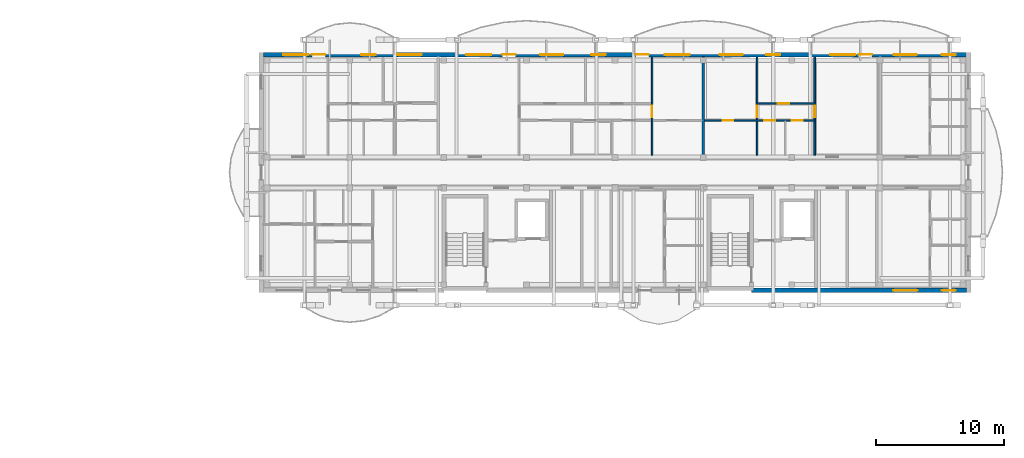
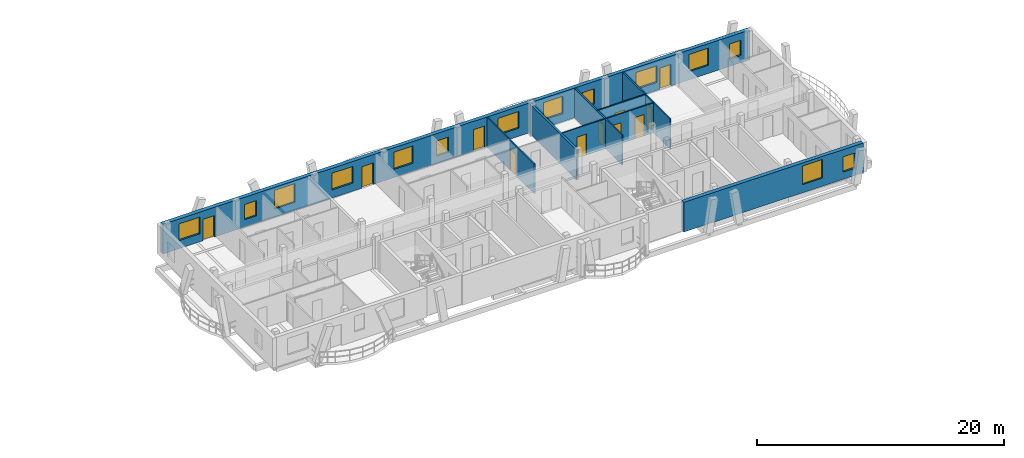
# One storey, part 36 of 52: 14 windows, 11 doors, 8 walls, 25 openings.
"""IFC4 building model written with IfcOpenShell, lengths in metres."""

from ifc_helpers import new_model, si_unit, direction, frame, frame_2d, origin, origin_with_axes, place, context, subcontext, project, spatial, rectangle, extrude, material, layer, layer_set, type_object, element, fill, save


model = new_model("IFC4")

# Units and contexts
model_context = context("Model", 3, precision=1e-05, world=origin(), true_north=direction((0.0, 1.0)))
body_context = subcontext(model_context, "Body", "Model", "MODEL_VIEW")
ifc_project = project(units=[si_unit("LENGTHUNIT", "METRE"), si_unit("AREAUNIT", "SQUARE_METRE"), si_unit("VOLUMEUNIT", "CUBIC_METRE"), si_unit("PLANEANGLEUNIT", "RADIAN"), si_unit("MASSUNIT", "GRAM", prefix="KILO")], contexts=[model_context])

# Site, building, storey
site_placement = place(None, origin())
site = spatial("IfcSite", under=ifc_project, at=site_placement, CompositionType="ELEMENT")
building_placement = place(site_placement, origin())
building = spatial("IfcBuilding", under=site, at=building_placement, Name="Zavelmont Quarter", CompositionType="ELEMENT")
storey_placement = place(building_placement, frame((0.0, 0.0, 14.39990234375)))
storey = spatial("IfcBuildingStorey", under=building, at=storey_placement, Name="L04", CompositionType="ELEMENT", Elevation=14.39990234375)

# Wall, openings, windows
ifc_material_1 = material(Name="Natural Belgian limestone", Category="masonry")
ifc_layer_1 = layer(ifc_material_1, 0.360107421875)
ifc_layer_set_1 = layer_set([ifc_layer_1], Name="Natural Belgian limestone")
wall_type_1 = type_object("IfcWallType", Name="EW02", PredefinedType="STANDARD", material=ifc_layer_set_1)
wall_1_placement = place(storey_placement, frame((151.050048828125, 97.60009765625, 0.0), z_axis=(0.0, 0.0, 1.0), x_axis=(1.0, 0.0, 0.0)))
wall_1 = element("IfcWall", 1, at=wall_1_placement, inside=storey, type_object=wall_type_1, Name="L04 exterior limestone wall EW02", PredefinedType="STANDARD", context=body_context, shape_type="SweptSolid", body=[
    extrude(rectangle(XDim=16.780029296875, YDim=0.360107421875, at=frame_2d((8.39013671875, 0.0))), origin(), (0.0, 0.0, 1.0), 2.940185546875),
])
opening_1_placement = place(wall_1_placement, frame((11.070068359375, 0.0, 0.800048828125)))
opening_1 = element("IfcOpeningElement", 2, at=opening_1_placement, cuts=wall_1, Name="Opening WN20", PredefinedType="OPENING", context=body_context, shape_type="SweptSolid", body=[
    extrude(rectangle(XDim=1.89990234375, YDim=1.85009765625, at=frame_2d((0.949951171875, 0.925048828125))), frame((0.0, 0.19189453125, 0.0), z_axis=(0.0, -1.0, 0.0), x_axis=(1.0, 0.0, 0.0)), (0.0, 0.0, 1.0), 0.384033203125),
])
opening_2_placement = place(wall_1_placement, frame((14.8701171875, 0.0, 0.719970703125)))
opening_2 = element("IfcOpeningElement", 3, at=opening_2_placement, cuts=wall_1, Name="Opening WN09", PredefinedType="OPENING", context=body_context, shape_type="SweptSolid", body=[
    extrude(rectangle(XDim=1.10009765625, YDim=1.5, at=frame_2d((0.550048828125, 0.75))), frame((0.0, 0.19189453125, 0.0), z_axis=(0.0, -1.0, 0.0), x_axis=(1.0, 0.0, 0.0)), (0.0, 0.0, 1.0), 0.384033203125),
])
ifc_material_2 = material(Name="Double low-E insulated glazing in thermally broken aluminium frame", Category="aluminium")
window_type_1 = type_object("IfcWindowType", Name="WN09", PartitioningType="SINGLE_PANEL", PredefinedType="WINDOW", material=ifc_material_2)
window_1_placement = place(opening_2_placement, origin_with_axes())
window_1 = element("IfcWindow", 4, at=window_1_placement, inside=storey, type_object=window_type_1, Name="L04 window WN09", OverallHeight=1.5, OverallWidth=1.10009765625, PartitioningType="SINGLE_PANEL", PredefinedType="WINDOW", context=body_context, shape_type="SweptSolid", body=[
    extrude(rectangle(XDim=1.10009765625, YDim=1.5, at=frame_2d((0.550048828125, 0.75))), frame((0.0, 0.030029296875, 0.0), z_axis=(0.0, -1.0, 0.0), x_axis=(1.0, 0.0, 0.0)), (0.0, 0.0, 1.0), 0.06005859375),
])
fill(opening_2, window_1)
window_type_2 = type_object("IfcWindowType", Name="WN20", PartitioningType="SINGLE_PANEL", PredefinedType="WINDOW", material=ifc_material_2)
window_2_placement = place(opening_1_placement, origin_with_axes())
window_2 = element("IfcWindow", 5, at=window_2_placement, inside=storey, type_object=window_type_2, Name="L04 window WN20", OverallHeight=1.85009765625, OverallWidth=1.89990234375, PartitioningType="SINGLE_PANEL", PredefinedType="WINDOW", context=body_context, shape_type="SweptSolid", body=[
    extrude(rectangle(XDim=1.89990234375, YDim=1.85009765625, at=frame_2d((0.949951171875, 0.925048828125))), frame((0.0, 0.030029296875, 0.0), z_axis=(0.0, -1.0, 0.0), x_axis=(1.0, 0.0, 0.0)), (0.0, 0.0, 1.0), 0.06005859375),
])
fill(opening_1, window_2)

# Wall, openings, doors, windows
wall_2_placement = place(storey_placement, frame((112.969970703125, 116.0, 0.0), z_axis=(0.0, 0.0, 1.0), x_axis=(1.0, 0.0, 0.0)))
wall_2 = element("IfcWall", 6, at=wall_2_placement, inside=storey, type_object=wall_type_1, Name="L04 exterior limestone wall EW02", PredefinedType="STANDARD", context=body_context, shape_type="SweptSolid", body=[
    extrude(rectangle(XDim=54.860107421875, YDim=0.360107421875, at=frame_2d((27.43017578125, 0.0))), origin(), (0.0, 0.0, 1.0), 2.940185546875),
])
opening_3_placement = place(wall_2_placement, frame((3.779296875, 0.0, 0.0)))
opening_3 = element("IfcOpeningElement", 7, at=opening_3_placement, cuts=wall_2, Name="Opening DR04A", PredefinedType="OPENING", context=body_context, shape_type="SweptSolid", body=[
    extrude(rectangle(XDim=1.050048828125, YDim=2.1201171875, at=frame_2d((0.52490234375, 1.06005859375))), frame((0.0, 0.19189453125, 0.0), z_axis=(0.0, -1.0, 0.0), x_axis=(1.0, 0.0, 0.0)), (0.0, 0.0, 1.0), 0.384033203125),
])
opening_4_placement = place(wall_2_placement, frame((18.638916015625, 0.0, 0.0)))
opening_4 = element("IfcOpeningElement", 8, at=opening_4_placement, cuts=wall_2, Name="Opening DR04A", PredefinedType="OPENING", context=body_context, shape_type="SweptSolid", body=[
    extrude(rectangle(XDim=1.050048828125, YDim=2.1201171875, at=frame_2d((0.52490234375, 1.06005859375))), frame((0.0, 0.19189453125, 0.0), z_axis=(0.0, -1.0, 0.0), x_axis=(1.0, 0.0, 0.0)), (0.0, 0.0, 1.0), 0.384033203125),
])
opening_5_placement = place(wall_2_placement, frame((29.0390625, 0.0, 0.0)))
opening_5 = element("IfcOpeningElement", 9, at=opening_5_placement, cuts=wall_2, Name="Opening DR04A", PredefinedType="OPENING", context=body_context, shape_type="SweptSolid", body=[
    extrude(rectangle(XDim=1.050048828125, YDim=2.1201171875, at=frame_2d((0.52490234375, 1.06005859375))), frame((0.0, 0.19189453125, 0.0), z_axis=(0.0, -1.0, 0.0), x_axis=(1.0, 0.0, 0.0)), (0.0, 0.0, 1.0), 0.384033203125),
])
opening_6_placement = place(wall_2_placement, frame((46.449951171875, 0.0, 0.0)))
opening_6 = element("IfcOpeningElement", 10, at=opening_6_placement, cuts=wall_2, Name="Opening DR04A", PredefinedType="OPENING", context=body_context, shape_type="SweptSolid", body=[
    extrude(rectangle(XDim=1.050048828125, YDim=2.1201171875, at=frame_2d((0.52490234375, 1.06005859375))), frame((0.0, 0.19189453125, 0.0), z_axis=(0.0, -1.0, 0.0), x_axis=(1.0, 0.0, 0.0)), (0.0, 0.0, 1.0), 0.384033203125),
])
opening_7_placement = place(wall_2_placement, frame((1.52490234375, 0.0, 0.800048828125)))
opening_7 = element("IfcOpeningElement", 11, at=opening_7_placement, cuts=wall_2, Name="Opening WN24", PredefinedType="OPENING", context=body_context, shape_type="SweptSolid", body=[
    extrude(rectangle(XDim=1.949951171875, YDim=1.64990234375, at=frame_2d((0.97509765625, 0.824951171875))), frame((0.0, 0.19189453125, 0.0), z_axis=(0.0, -1.0, 0.0), x_axis=(1.0, 0.0, 0.0)), (0.0, 0.0, 1.0), 0.384033203125),
])
opening_8_placement = place(wall_2_placement, frame((7.64990234375, 0.0, 0.719970703125)))
opening_8 = element("IfcOpeningElement", 12, at=opening_8_placement, cuts=wall_2, Name="Opening WN09", PredefinedType="OPENING", context=body_context, shape_type="SweptSolid", body=[
    extrude(rectangle(XDim=1.10009765625, YDim=1.5, at=frame_2d((0.550048828125, 0.75))), frame((0.0, 0.19189453125, 0.0), z_axis=(0.0, -1.0, 0.0), x_axis=(1.0, 0.0, 0.0)), (0.0, 0.0, 1.0), 0.384033203125),
])
opening_9_placement = place(wall_2_placement, frame((10.449951171875, 0.0, 0.800048828125)))
opening_9 = element("IfcOpeningElement", 13, at=opening_9_placement, cuts=wall_2, Name="Opening WN20", PredefinedType="OPENING", context=body_context, shape_type="SweptSolid", body=[
    extrude(rectangle(XDim=1.89990234375, YDim=1.85009765625, at=frame_2d((0.949951171875, 0.925048828125))), frame((0.0, 0.19189453125, 0.0), z_axis=(0.0, -1.0, 0.0), x_axis=(1.0, 0.0, 0.0)), (0.0, 0.0, 1.0), 0.384033203125),
])
opening_10_placement = place(wall_2_placement, frame((15.824951171875, 0.0, 0.800048828125)))
opening_10 = element("IfcOpeningElement", 14, at=opening_10_placement, cuts=wall_2, Name="Opening WN24", PredefinedType="OPENING", context=body_context, shape_type="SweptSolid", body=[
    extrude(rectangle(XDim=1.949951171875, YDim=1.64990234375, at=frame_2d((0.97509765625, 0.824951171875))), frame((0.0, 0.19189453125, 0.0), z_axis=(0.0, -1.0, 0.0), x_axis=(1.0, 0.0, 0.0)), (0.0, 0.0, 1.0), 0.384033203125),
])
opening_11_placement = place(wall_2_placement, frame((21.60009765625, 0.0, 0.800048828125)))
opening_11 = element("IfcOpeningElement", 15, at=opening_11_placement, cuts=wall_2, Name="Opening WN02", PredefinedType="OPENING", context=body_context, shape_type="SweptSolid", body=[
    extrude(rectangle(XDim=1.800048828125, YDim=1.699951171875, at=frame_2d((0.89990234375, 0.85009765625))), frame((0.0, 0.19189453125, 0.0), z_axis=(0.0, -1.0, 0.0), x_axis=(1.0, 0.0, 0.0)), (0.0, 0.0, 1.0), 0.384033203125),
])
opening_12_placement = place(wall_2_placement, frame((25.60009765625, 0.0, 0.719970703125)))
opening_12 = element("IfcOpeningElement", 16, at=opening_12_placement, cuts=wall_2, Name="Opening WN09", PredefinedType="OPENING", context=body_context, shape_type="SweptSolid", body=[
    extrude(rectangle(XDim=1.10009765625, YDim=1.5, at=frame_2d((0.550048828125, 0.75))), frame((0.0, 0.19189453125, 0.0), z_axis=(0.0, -1.0, 0.0), x_axis=(1.0, 0.0, 0.0)), (0.0, 0.0, 1.0), 0.384033203125),
])
opening_13_placement = place(wall_2_placement, frame((31.324951171875, 0.0, 0.800048828125)))
opening_13 = element("IfcOpeningElement", 17, at=opening_13_placement, cuts=wall_2, Name="Opening WN24", PredefinedType="OPENING", context=body_context, shape_type="SweptSolid", body=[
    extrude(rectangle(XDim=1.949951171875, YDim=1.64990234375, at=frame_2d((0.97509765625, 0.824951171875))), frame((0.0, 0.19189453125, 0.0), z_axis=(0.0, -1.0, 0.0), x_axis=(1.0, 0.0, 0.0)), (0.0, 0.0, 1.0), 0.384033203125),
])
opening_14_placement = place(wall_2_placement, frame((35.60009765625, 0.0, 0.800048828125)))
opening_14 = element("IfcOpeningElement", 18, at=opening_14_placement, cuts=wall_2, Name="Opening WN02", PredefinedType="OPENING", context=body_context, shape_type="SweptSolid", body=[
    extrude(rectangle(XDim=1.800048828125, YDim=1.699951171875, at=frame_2d((0.89990234375, 0.85009765625))), frame((0.0, 0.19189453125, 0.0), z_axis=(0.0, -1.0, 0.0), x_axis=(1.0, 0.0, 0.0)), (0.0, 0.0, 1.0), 0.384033203125),
])
opening_15_placement = place(wall_2_placement, frame((39.25, 0.0, 0.719970703125)))
opening_15 = element("IfcOpeningElement", 19, at=opening_15_placement, cuts=wall_2, Name="Opening WN09", PredefinedType="OPENING", context=body_context, shape_type="SweptSolid", body=[
    extrude(rectangle(XDim=1.10009765625, YDim=1.5, at=frame_2d((0.550048828125, 0.75))), frame((0.0, 0.19189453125, 0.0), z_axis=(0.0, -1.0, 0.0), x_axis=(1.0, 0.0, 0.0)), (0.0, 0.0, 1.0), 0.384033203125),
])
opening_16_placement = place(wall_2_placement, frame((44.22509765625, 0.0, 0.800048828125)))
opening_16 = element("IfcOpeningElement", 20, at=opening_16_placement, cuts=wall_2, Name="Opening WN24", PredefinedType="OPENING", context=body_context, shape_type="SweptSolid", body=[
    extrude(rectangle(XDim=1.949951171875, YDim=1.64990234375, at=frame_2d((0.97509765625, 0.824951171875))), frame((0.0, 0.19189453125, 0.0), z_axis=(0.0, -1.0, 0.0), x_axis=(1.0, 0.0, 0.0)), (0.0, 0.0, 1.0), 0.384033203125),
])
opening_17_placement = place(wall_2_placement, frame((49.199951171875, 0.0, 0.800048828125)))
opening_17 = element("IfcOpeningElement", 21, at=opening_17_placement, cuts=wall_2, Name="Opening WN02", PredefinedType="OPENING", context=body_context, shape_type="SweptSolid", body=[
    extrude(rectangle(XDim=1.800048828125, YDim=1.699951171875, at=frame_2d((0.89990234375, 0.85009765625))), frame((0.0, 0.19189453125, 0.0), z_axis=(0.0, -1.0, 0.0), x_axis=(1.0, 0.0, 0.0)), (0.0, 0.0, 1.0), 0.384033203125),
])
opening_18_placement = place(wall_2_placement, frame((52.949951171875, 0.0, 0.719970703125)))
opening_18 = element("IfcOpeningElement", 22, at=opening_18_placement, cuts=wall_2, Name="Opening WN09", PredefinedType="OPENING", context=body_context, shape_type="SweptSolid", body=[
    extrude(rectangle(XDim=1.10009765625, YDim=1.5, at=frame_2d((0.550048828125, 0.75))), frame((0.0, 0.19189453125, 0.0), z_axis=(0.0, -1.0, 0.0), x_axis=(1.0, 0.0, 0.0)), (0.0, 0.0, 1.0), 0.384033203125),
])
ifc_material_3 = material(Name="Thermally broken aluminium and double safety glass", Category="aluminium")
door_type_1 = type_object("IfcDoorType", Name="DR04A", OperationType="NOTDEFINED", PredefinedType="DOOR", material=ifc_material_3)
door_1_placement = place(opening_3_placement, frame((1.050048828125, 0.0, 0.0), z_axis=(0.0, 0.0, 1.0), x_axis=(-1.0, 0.0, 0.0)))
door_1 = element("IfcDoor", 23, at=door_1_placement, inside=storey, type_object=door_type_1, Name="Block C L04 glazed balcony door", OperationType="SINGLE_SWING_LEFT", OverallHeight=2.1201171875, OverallWidth=1.050048828125, PredefinedType="DOOR", context=body_context, shape_type="SweptSolid", body=[
    extrude(rectangle(XDim=1.050048828125, YDim=2.1201171875, at=frame_2d((0.52490234375, 1.06005859375))), frame((0.0, 0.02490234375, 0.0), z_axis=(0.0, -1.0, 0.0), x_axis=(1.0, 0.0, 0.0)), (0.0, 0.0, 1.0), 0.050048828125),
])
fill(opening_3, door_1)
door_2_placement = place(opening_4_placement, frame((1.050048828125, 0.0, 0.0), z_axis=(0.0, 0.0, 1.0), x_axis=(-1.0, 0.0, 0.0)))
door_2 = element("IfcDoor", 24, at=door_2_placement, inside=storey, type_object=door_type_1, Name="Block C L04 glazed balcony door", OperationType="SINGLE_SWING_LEFT", OverallHeight=2.1201171875, OverallWidth=1.050048828125, PredefinedType="DOOR", context=body_context, shape_type="SweptSolid", body=[
    extrude(rectangle(XDim=1.050048828125, YDim=2.1201171875, at=frame_2d((0.52490234375, 1.06005859375))), frame((0.0, 0.02490234375, 0.0), z_axis=(0.0, -1.0, 0.0), x_axis=(1.0, 0.0, 0.0)), (0.0, 0.0, 1.0), 0.050048828125),
])
fill(opening_4, door_2)
door_3_placement = place(opening_5_placement, frame((1.050048828125, 0.0, 0.0), z_axis=(0.0, 0.0, 1.0), x_axis=(-1.0, 0.0, 0.0)))
door_3 = element("IfcDoor", 25, at=door_3_placement, inside=storey, type_object=door_type_1, Name="Block C L04 glazed balcony door", OperationType="SINGLE_SWING_LEFT", OverallHeight=2.1201171875, OverallWidth=1.050048828125, PredefinedType="DOOR", context=body_context, shape_type="SweptSolid", body=[
    extrude(rectangle(XDim=1.050048828125, YDim=2.1201171875, at=frame_2d((0.52490234375, 1.06005859375))), frame((0.0, 0.02490234375, 0.0), z_axis=(0.0, -1.0, 0.0), x_axis=(1.0, 0.0, 0.0)), (0.0, 0.0, 1.0), 0.050048828125),
])
fill(opening_5, door_3)
door_4_placement = place(opening_6_placement, frame((1.050048828125, 0.0, 0.0), z_axis=(0.0, 0.0, 1.0), x_axis=(-1.0, 0.0, 0.0)))
door_4 = element("IfcDoor", 26, at=door_4_placement, inside=storey, type_object=door_type_1, Name="Block C L04 glazed balcony door", OperationType="SINGLE_SWING_LEFT", OverallHeight=2.1201171875, OverallWidth=1.050048828125, PredefinedType="DOOR", context=body_context, shape_type="SweptSolid", body=[
    extrude(rectangle(XDim=1.050048828125, YDim=2.1201171875, at=frame_2d((0.52490234375, 1.06005859375))), frame((0.0, 0.02490234375, 0.0), z_axis=(0.0, -1.0, 0.0), x_axis=(1.0, 0.0, 0.0)), (0.0, 0.0, 1.0), 0.050048828125),
])
fill(opening_6, door_4)
window_type_3 = type_object("IfcWindowType", Name="WN02", PartitioningType="SINGLE_PANEL", PredefinedType="WINDOW", material=ifc_material_2)
window_3_placement = place(opening_11_placement, origin_with_axes())
window_3 = element("IfcWindow", 27, at=window_3_placement, inside=storey, type_object=window_type_3, Name="L04 window WN02", OverallHeight=1.699951171875, OverallWidth=1.800048828125, PartitioningType="SINGLE_PANEL", PredefinedType="WINDOW", context=body_context, shape_type="SweptSolid", body=[
    extrude(rectangle(XDim=1.800048828125, YDim=1.699951171875, at=frame_2d((0.89990234375, 0.85009765625))), frame((0.0, 0.030029296875, 0.0), z_axis=(0.0, -1.0, 0.0), x_axis=(1.0, 0.0, 0.0)), (0.0, 0.0, 1.0), 0.06005859375),
])
fill(opening_11, window_3)
window_4_placement = place(opening_14_placement, origin_with_axes())
window_4 = element("IfcWindow", 28, at=window_4_placement, inside=storey, type_object=window_type_3, Name="L04 window WN02", OverallHeight=1.699951171875, OverallWidth=1.800048828125, PartitioningType="SINGLE_PANEL", PredefinedType="WINDOW", context=body_context, shape_type="SweptSolid", body=[
    extrude(rectangle(XDim=1.800048828125, YDim=1.699951171875, at=frame_2d((0.89990234375, 0.85009765625))), frame((0.0, 0.030029296875, 0.0), z_axis=(0.0, -1.0, 0.0), x_axis=(1.0, 0.0, 0.0)), (0.0, 0.0, 1.0), 0.06005859375),
])
fill(opening_14, window_4)
window_5_placement = place(opening_17_placement, origin_with_axes())
window_5 = element("IfcWindow", 29, at=window_5_placement, inside=storey, type_object=window_type_3, Name="L04 window WN02", OverallHeight=1.699951171875, OverallWidth=1.800048828125, PartitioningType="SINGLE_PANEL", PredefinedType="WINDOW", context=body_context, shape_type="SweptSolid", body=[
    extrude(rectangle(XDim=1.800048828125, YDim=1.699951171875, at=frame_2d((0.89990234375, 0.85009765625))), frame((0.0, 0.030029296875, 0.0), z_axis=(0.0, -1.0, 0.0), x_axis=(1.0, 0.0, 0.0)), (0.0, 0.0, 1.0), 0.06005859375),
])
fill(opening_17, window_5)
window_6_placement = place(opening_8_placement, origin_with_axes())
window_6 = element("IfcWindow", 30, at=window_6_placement, inside=storey, type_object=window_type_1, Name="L04 window WN09", OverallHeight=1.5, OverallWidth=1.10009765625, PartitioningType="SINGLE_PANEL", PredefinedType="WINDOW", context=body_context, shape_type="SweptSolid", body=[
    extrude(rectangle(XDim=1.10009765625, YDim=1.5, at=frame_2d((0.550048828125, 0.75))), frame((0.0, 0.030029296875, 0.0), z_axis=(0.0, -1.0, 0.0), x_axis=(1.0, 0.0, 0.0)), (0.0, 0.0, 1.0), 0.06005859375),
])
fill(opening_8, window_6)
window_7_placement = place(opening_12_placement, origin_with_axes())
window_7 = element("IfcWindow", 31, at=window_7_placement, inside=storey, type_object=window_type_1, Name="L04 window WN09", OverallHeight=1.5, OverallWidth=1.10009765625, PartitioningType="SINGLE_PANEL", PredefinedType="WINDOW", context=body_context, shape_type="SweptSolid", body=[
    extrude(rectangle(XDim=1.10009765625, YDim=1.5, at=frame_2d((0.550048828125, 0.75))), frame((0.0, 0.030029296875, 0.0), z_axis=(0.0, -1.0, 0.0), x_axis=(1.0, 0.0, 0.0)), (0.0, 0.0, 1.0), 0.06005859375),
])
fill(opening_12, window_7)
window_8_placement = place(opening_15_placement, origin_with_axes())
window_8 = element("IfcWindow", 32, at=window_8_placement, inside=storey, type_object=window_type_1, Name="L04 window WN09", OverallHeight=1.5, OverallWidth=1.10009765625, PartitioningType="SINGLE_PANEL", PredefinedType="WINDOW", context=body_context, shape_type="SweptSolid", body=[
    extrude(rectangle(XDim=1.10009765625, YDim=1.5, at=frame_2d((0.550048828125, 0.75))), frame((0.0, 0.030029296875, 0.0), z_axis=(0.0, -1.0, 0.0), x_axis=(1.0, 0.0, 0.0)), (0.0, 0.0, 1.0), 0.06005859375),
])
fill(opening_15, window_8)
window_9_placement = place(opening_18_placement, origin_with_axes())
window_9 = element("IfcWindow", 33, at=window_9_placement, inside=storey, type_object=window_type_1, Name="L04 window WN09", OverallHeight=1.5, OverallWidth=1.10009765625, PartitioningType="SINGLE_PANEL", PredefinedType="WINDOW", context=body_context, shape_type="SweptSolid", body=[
    extrude(rectangle(XDim=1.10009765625, YDim=1.5, at=frame_2d((0.550048828125, 0.75))), frame((0.0, 0.030029296875, 0.0), z_axis=(0.0, -1.0, 0.0), x_axis=(1.0, 0.0, 0.0)), (0.0, 0.0, 1.0), 0.06005859375),
])
fill(opening_18, window_9)
window_10_placement = place(opening_9_placement, origin_with_axes())
window_10 = element("IfcWindow", 34, at=window_10_placement, inside=storey, type_object=window_type_2, Name="L04 window WN20", OverallHeight=1.85009765625, OverallWidth=1.89990234375, PartitioningType="SINGLE_PANEL", PredefinedType="WINDOW", context=body_context, shape_type="SweptSolid", body=[
    extrude(rectangle(XDim=1.89990234375, YDim=1.85009765625, at=frame_2d((0.949951171875, 0.925048828125))), frame((0.0, 0.030029296875, 0.0), z_axis=(0.0, -1.0, 0.0), x_axis=(1.0, 0.0, 0.0)), (0.0, 0.0, 1.0), 0.06005859375),
])
fill(opening_9, window_10)
window_type_4 = type_object("IfcWindowType", Name="WN24", PartitioningType="SINGLE_PANEL", PredefinedType="WINDOW", material=ifc_material_2)
window_11_placement = place(opening_7_placement, origin_with_axes())
window_11 = element("IfcWindow", 35, at=window_11_placement, inside=storey, type_object=window_type_4, Name="L04 window WN24", OverallHeight=1.64990234375, OverallWidth=1.949951171875, PartitioningType="SINGLE_PANEL", PredefinedType="WINDOW", context=body_context, shape_type="SweptSolid", body=[
    extrude(rectangle(XDim=1.949951171875, YDim=1.64990234375, at=frame_2d((0.97509765625, 0.824951171875))), frame((0.0, 0.030029296875, 0.0), z_axis=(0.0, -1.0, 0.0), x_axis=(1.0, 0.0, 0.0)), (0.0, 0.0, 1.0), 0.06005859375),
])
fill(opening_7, window_11)
window_12_placement = place(opening_10_placement, origin_with_axes())
window_12 = element("IfcWindow", 36, at=window_12_placement, inside=storey, type_object=window_type_4, Name="L04 window WN24", OverallHeight=1.64990234375, OverallWidth=1.949951171875, PartitioningType="SINGLE_PANEL", PredefinedType="WINDOW", context=body_context, shape_type="SweptSolid", body=[
    extrude(rectangle(XDim=1.949951171875, YDim=1.64990234375, at=frame_2d((0.97509765625, 0.824951171875))), frame((0.0, 0.030029296875, 0.0), z_axis=(0.0, -1.0, 0.0), x_axis=(1.0, 0.0, 0.0)), (0.0, 0.0, 1.0), 0.06005859375),
])
fill(opening_10, window_12)
window_13_placement = place(opening_13_placement, origin_with_axes())
window_13 = element("IfcWindow", 37, at=window_13_placement, inside=storey, type_object=window_type_4, Name="L04 window WN24", OverallHeight=1.64990234375, OverallWidth=1.949951171875, PartitioningType="SINGLE_PANEL", PredefinedType="WINDOW", context=body_context, shape_type="SweptSolid", body=[
    extrude(rectangle(XDim=1.949951171875, YDim=1.64990234375, at=frame_2d((0.97509765625, 0.824951171875))), frame((0.0, 0.030029296875, 0.0), z_axis=(0.0, -1.0, 0.0), x_axis=(1.0, 0.0, 0.0)), (0.0, 0.0, 1.0), 0.06005859375),
])
fill(opening_13, window_13)
window_14_placement = place(opening_16_placement, origin_with_axes())
window_14 = element("IfcWindow", 38, at=window_14_placement, inside=storey, type_object=window_type_4, Name="L04 window WN24", OverallHeight=1.64990234375, OverallWidth=1.949951171875, PartitioningType="SINGLE_PANEL", PredefinedType="WINDOW", context=body_context, shape_type="SweptSolid", body=[
    extrude(rectangle(XDim=1.949951171875, YDim=1.64990234375, at=frame_2d((0.97509765625, 0.824951171875))), frame((0.0, 0.030029296875, 0.0), z_axis=(0.0, -1.0, 0.0), x_axis=(1.0, 0.0, 0.0)), (0.0, 0.0, 1.0), 0.06005859375),
])
fill(opening_16, window_14)

# Wall
ifc_material_4 = material(Name="Calcium-silicate blockwork and acoustic plaster", Category="masonry")
ifc_layer_2 = layer(ifc_material_4, 0.199951171875)
ifc_layer_set_2 = layer_set([ifc_layer_2], Name="Calcium-silicate blockwork and acoustic plaster")
wall_type_2 = type_object("IfcWallType", Name="IW01", PredefinedType="PARTITIONING", material=ifc_layer_set_2)
wall_3_placement = place(storey_placement, frame((147.300048828125, 108.14990234375, 0.0), z_axis=(0.0, 0.0, 1.0), x_axis=(0.0, 1.0, 0.0)))
element("IfcWall", 39, at=wall_3_placement, inside=storey, type_object=wall_type_2, Name="L04 Inter-dwelling compartment wall IW01", PredefinedType="PARTITIONING", context=body_context, shape_type="SweptSolid", body=[
    extrude(rectangle(XDim=7.7001953125, YDim=0.199951171875, at=frame_2d((3.85009765625, 0.0))), origin(), (0.0, 0.0, 1.0), 2.940185546875),
])

# Wall, opening, door
ifc_material_5 = material(Name="Double gypsum board on acoustic steel stud", Category="steel")
ifc_layer_3 = layer(ifc_material_5, 0.125)
ifc_layer_set_3 = layer_set([ifc_layer_3], Name="Double gypsum board on acoustic steel stud")
wall_type_3 = type_object("IfcWallType", Name="IW03", PredefinedType="PARTITIONING", material=ifc_layer_set_3)
wall_4_placement = place(storey_placement, frame((143.300048828125, 108.14990234375, 0.0), z_axis=(0.0, 0.0, 1.0), x_axis=(0.0, 1.0, 0.0)))
wall_4 = element("IfcWall", 40, at=wall_4_placement, inside=storey, type_object=wall_type_3, Name="L04 Partition IW03", PredefinedType="PARTITIONING", context=body_context, shape_type="SweptSolid", body=[
    extrude(rectangle(XDim=7.650146484375, YDim=0.125, at=frame_2d((3.8251953125, 0.0))), origin(), (0.0, 0.0, 1.0), 2.940185546875),
])
opening_19_placement = place(wall_4_placement, frame((2.949951171875, 0.0, 0.0)))
opening_19 = element("IfcOpeningElement", 41, at=opening_19_placement, cuts=wall_4, Name="Opening DR05", PredefinedType="OPENING", context=body_context, shape_type="SweptSolid", body=[
    extrude(rectangle(XDim=0.89990234375, YDim=2.10009765625, at=frame_2d((0.449951171875, 1.050048828125))), frame((0.0, 0.074462890625, 0.0), z_axis=(0.0, -1.0, 0.0), x_axis=(1.0, 0.0, 0.0)), (0.0, 0.0, 1.0), 0.14892578125),
])
ifc_material_6 = material(Name="Engineered oak flush interior door")
door_type_2 = type_object("IfcDoorType", Name="DR05", OperationType="NOTDEFINED", PredefinedType="DOOR", material=ifc_material_6)
door_5_placement = place(opening_19_placement, origin_with_axes())
door_5 = element("IfcDoor", 42, at=door_5_placement, inside=storey, type_object=door_type_2, Name="L04 door DR05", OperationType="SINGLE_SWING_RIGHT", OverallHeight=2.10009765625, OverallWidth=0.89990234375, PredefinedType="DOOR", context=body_context, shape_type="SweptSolid", body=[
    extrude(rectangle(XDim=0.89990234375, YDim=2.10009765625, at=frame_2d((0.449951171875, 1.050048828125))), frame((0.0, 0.02490234375, 0.0), z_axis=(0.0, -1.0, 0.0), x_axis=(1.0, 0.0, 0.0)), (0.0, 0.0, 1.0), 0.050048828125),
])
fill(opening_19, door_5)

wall_5_placement = place(storey_placement, frame((156.0, 108.14990234375, 0.0), z_axis=(0.0, 0.0, 1.0), x_axis=(0.0, 1.0, 0.0)))
wall_5 = element("IfcWall", 43, at=wall_5_placement, inside=storey, type_object=wall_type_3, Name="L04 Partition IW03", PredefinedType="PARTITIONING", context=body_context, shape_type="SweptSolid", body=[
    extrude(rectangle(XDim=7.650146484375, YDim=0.125, at=frame_2d((3.8251953125, 0.0))), origin(), (0.0, 0.0, 1.0), 2.940185546875),
])
opening_20_placement = place(wall_5_placement, frame((2.949951171875, 0.0, 0.0)))
opening_20 = element("IfcOpeningElement", 44, at=opening_20_placement, cuts=wall_5, Name="Opening DR05", PredefinedType="OPENING", context=body_context, shape_type="SweptSolid", body=[
    extrude(rectangle(XDim=0.89990234375, YDim=2.10009765625, at=frame_2d((0.449951171875, 1.050048828125))), frame((0.0, 0.074462890625, 0.0), z_axis=(0.0, -1.0, 0.0), x_axis=(1.0, 0.0, 0.0)), (0.0, 0.0, 1.0), 0.14892578125),
])
door_6_placement = place(opening_20_placement, origin_with_axes())
door_6 = element("IfcDoor", 45, at=door_6_placement, inside=storey, type_object=door_type_2, Name="L04 door DR05", OperationType="SINGLE_SWING_LEFT", OverallHeight=2.10009765625, OverallWidth=0.89990234375, PredefinedType="DOOR", context=body_context, shape_type="SweptSolid", body=[
    extrude(rectangle(XDim=0.89990234375, YDim=2.10009765625, at=frame_2d((0.449951171875, 1.050048828125))), frame((0.0, 0.02490234375, 0.0), z_axis=(0.0, -1.0, 0.0), x_axis=(1.0, 0.0, 0.0)), (0.0, 0.0, 1.0), 0.050048828125),
])
fill(opening_20, door_6)

wall_6_placement = place(storey_placement, frame((151.5, 108.14990234375, 0.0), z_axis=(0.0, 0.0, 1.0), x_axis=(0.0, 1.0, 0.0)))
wall_6 = element("IfcWall", 46, at=wall_6_placement, inside=storey, type_object=wall_type_3, Name="L04 Partition IW03", PredefinedType="PARTITIONING", context=body_context, shape_type="SweptSolid", body=[
    extrude(rectangle(XDim=7.650146484375, YDim=0.125, at=frame_2d((3.8251953125, 0.0))), origin(), (0.0, 0.0, 1.0), 2.940185546875),
])
opening_21_placement = place(wall_6_placement, frame((2.949951171875, 0.0, 0.0)))
opening_21 = element("IfcOpeningElement", 47, at=opening_21_placement, cuts=wall_6, Name="Opening DR05", PredefinedType="OPENING", context=body_context, shape_type="SweptSolid", body=[
    extrude(rectangle(XDim=0.89990234375, YDim=2.10009765625, at=frame_2d((0.449951171875, 1.050048828125))), frame((0.0, 0.074462890625, 0.0), z_axis=(0.0, -1.0, 0.0), x_axis=(1.0, 0.0, 0.0)), (0.0, 0.0, 1.0), 0.14892578125),
])
door_7_placement = place(opening_21_placement, frame((0.89990234375, 0.0, 0.0), z_axis=(0.0, 0.0, 1.0), x_axis=(-1.0, 0.0, 0.0)))
door_7 = element("IfcDoor", 48, at=door_7_placement, inside=storey, type_object=door_type_2, Name="L04 door DR05", OperationType="SINGLE_SWING_RIGHT", OverallHeight=2.10009765625, OverallWidth=0.89990234375, PredefinedType="DOOR", context=body_context, shape_type="SweptSolid", body=[
    extrude(rectangle(XDim=0.89990234375, YDim=2.10009765625, at=frame_2d((0.449951171875, 1.050048828125))), frame((0.0, 0.02490234375, 0.0), z_axis=(0.0, -1.0, 0.0), x_axis=(1.0, 0.0, 0.0)), (0.0, 0.0, 1.0), 0.050048828125),
])
fill(opening_21, door_7)

wall_7_placement = place(storey_placement, frame((151.5, 112.199951171875, 0.0), z_axis=(0.0, 0.0, 1.0), x_axis=(1.0, 0.0, 0.0)))
wall_7 = element("IfcWall", 49, at=wall_7_placement, inside=storey, type_object=wall_type_3, Name="L04 Partition IW03", PredefinedType="PARTITIONING", context=body_context, shape_type="SweptSolid", body=[
    extrude(rectangle(XDim=4.5, YDim=0.125, at=frame_2d((2.25, 0.0))), origin(), (0.0, 0.0, 1.0), 2.940185546875),
])
opening_22_placement = place(wall_7_placement, frame((1.60009765625, 0.0, 0.0)))
opening_22 = element("IfcOpeningElement", 50, at=opening_22_placement, cuts=wall_7, Name="Opening DR05", PredefinedType="OPENING", context=body_context, shape_type="SweptSolid", body=[
    extrude(rectangle(XDim=0.89990234375, YDim=2.10009765625, at=frame_2d((0.449951171875, 1.050048828125))), frame((0.0, 0.074462890625, 0.0), z_axis=(0.0, -1.0, 0.0), x_axis=(1.0, 0.0, 0.0)), (0.0, 0.0, 1.0), 0.14892578125),
])
door_8_placement = place(opening_22_placement, frame((0.89990234375, 0.0, 0.0), z_axis=(0.0, 0.0, 1.0), x_axis=(-1.0, 0.0, 0.0)))
door_8 = element("IfcDoor", 51, at=door_8_placement, inside=storey, type_object=door_type_2, Name="L04 door DR05", OperationType="SINGLE_SWING_RIGHT", OverallHeight=2.10009765625, OverallWidth=0.89990234375, PredefinedType="DOOR", context=body_context, shape_type="SweptSolid", body=[
    extrude(rectangle(XDim=0.89990234375, YDim=2.10009765625, at=frame_2d((0.449951171875, 1.050048828125))), frame((0.0, 0.02490234375, 0.0), z_axis=(0.0, -1.0, 0.0), x_axis=(1.0, 0.0, 0.0)), (0.0, 0.0, 1.0), 0.050048828125),
])
fill(opening_22, door_8)

# Wall, openings, doors
ifc_material_7 = material(Name="Moisture-resistant gypsum board on steel stud", Category="steel")
ifc_layer_4 = layer(ifc_material_7, 0.10009765625)
ifc_layer_set_4 = layer_set([ifc_layer_4], Name="Moisture-resistant gypsum board on steel stud")
wall_type_4 = type_object("IfcWallType", Name="IW04", PredefinedType="PARTITIONING", material=ifc_layer_set_4)
wall_8_placement = place(storey_placement, frame((147.39990234375, 110.85009765625, 0.0), z_axis=(0.0, 0.0, 1.0), x_axis=(1.0, 0.0, 0.0)))
wall_8 = element("IfcWall", 52, at=wall_8_placement, inside=storey, type_object=wall_type_4, Name="L04 Partition IW04", PredefinedType="PARTITIONING", context=body_context, shape_type="SweptSolid", body=[
    extrude(rectangle(XDim=8.60009765625, YDim=0.10009765625, at=frame_2d((4.300048828125, 0.0))), origin(), (0.0, 0.0, 1.0), 2.940185546875),
])
opening_23_placement = place(wall_8_placement, frame((1.39990234375, 0.0, 0.0)))
opening_23 = element("IfcOpeningElement", 53, at=opening_23_placement, cuts=wall_8, Name="Opening DR06", PredefinedType="OPENING", context=body_context, shape_type="SweptSolid", body=[
    extrude(rectangle(XDim=0.85009765625, YDim=2.050048828125, at=frame_2d((0.425048828125, 1.02490234375))), frame((0.0, 0.06201171875, 0.0), z_axis=(0.0, -1.0, 0.0), x_axis=(1.0, 0.0, 0.0)), (0.0, 0.0, 1.0), 0.1240234375),
])
opening_24_placement = place(wall_8_placement, frame((4.64990234375, 0.0, 0.0)))
opening_24 = element("IfcOpeningElement", 54, at=opening_24_placement, cuts=wall_8, Name="Opening DR06", PredefinedType="OPENING", context=body_context, shape_type="SweptSolid", body=[
    extrude(rectangle(XDim=0.85009765625, YDim=2.050048828125, at=frame_2d((0.425048828125, 1.02490234375))), frame((0.0, 0.06201171875, 0.0), z_axis=(0.0, -1.0, 0.0), x_axis=(1.0, 0.0, 0.0)), (0.0, 0.0, 1.0), 0.1240234375),
])
opening_25_placement = place(wall_8_placement, frame((6.800048828125, 0.0, 0.0)))
opening_25 = element("IfcOpeningElement", 55, at=opening_25_placement, cuts=wall_8, Name="Opening DR16", PredefinedType="OPENING", context=body_context, shape_type="SweptSolid", body=[
    extrude(rectangle(XDim=0.85009765625, YDim=2.10009765625, at=frame_2d((0.425048828125, 1.050048828125))), frame((0.0, 0.06201171875, 0.0), z_axis=(0.0, -1.0, 0.0), x_axis=(1.0, 0.0, 0.0)), (0.0, 0.0, 1.0), 0.1240234375),
])
ifc_material_8 = material(Name="Moisture-resistant painted wet-room door")
door_type_3 = type_object("IfcDoorType", Name="DR06", OperationType="NOTDEFINED", PredefinedType="DOOR", material=ifc_material_8)
door_9_placement = place(opening_23_placement, origin_with_axes())
door_9 = element("IfcDoor", 56, at=door_9_placement, inside=storey, type_object=door_type_3, Name="L04 door DR06", OperationType="SINGLE_SWING_LEFT", OverallHeight=2.050048828125, OverallWidth=0.85009765625, PredefinedType="DOOR", context=body_context, shape_type="SweptSolid", body=[
    extrude(rectangle(XDim=0.85009765625, YDim=2.050048828125, at=frame_2d((0.425048828125, 1.02490234375))), frame((0.0, 0.02490234375, 0.0), z_axis=(0.0, -1.0, 0.0), x_axis=(1.0, 0.0, 0.0)), (0.0, 0.0, 1.0), 0.050048828125),
])
fill(opening_23, door_9)
door_10_placement = place(opening_24_placement, frame((0.85009765625, 0.0, 0.0), z_axis=(0.0, 0.0, 1.0), x_axis=(-1.0, 0.0, 0.0)))
door_10 = element("IfcDoor", 57, at=door_10_placement, inside=storey, type_object=door_type_3, Name="L04 door DR06", OperationType="SINGLE_SWING_RIGHT", OverallHeight=2.050048828125, OverallWidth=0.85009765625, PredefinedType="DOOR", context=body_context, shape_type="SweptSolid", body=[
    extrude(rectangle(XDim=0.85009765625, YDim=2.050048828125, at=frame_2d((0.425048828125, 1.02490234375))), frame((0.0, 0.02490234375, 0.0), z_axis=(0.0, -1.0, 0.0), x_axis=(1.0, 0.0, 0.0)), (0.0, 0.0, 1.0), 0.050048828125),
])
fill(opening_24, door_10)
door_type_4 = type_object("IfcDoorType", Name="DR16", OperationType="NOTDEFINED", PredefinedType="DOOR", material=ifc_material_6)
door_11_placement = place(opening_25_placement, origin_with_axes())
door_11 = element("IfcDoor", 58, at=door_11_placement, inside=storey, type_object=door_type_4, Name="L04 door DR16", OperationType="SINGLE_SWING_LEFT", OverallHeight=2.10009765625, OverallWidth=0.85009765625, PredefinedType="DOOR", context=body_context, shape_type="SweptSolid", body=[
    extrude(rectangle(XDim=0.85009765625, YDim=2.10009765625, at=frame_2d((0.425048828125, 1.050048828125))), frame((0.0, 0.02490234375, 0.0), z_axis=(0.0, -1.0, 0.0), x_axis=(1.0, 0.0, 0.0)), (0.0, 0.0, 1.0), 0.050048828125),
])
fill(opening_25, door_11)

save(model, "model.ifc")
